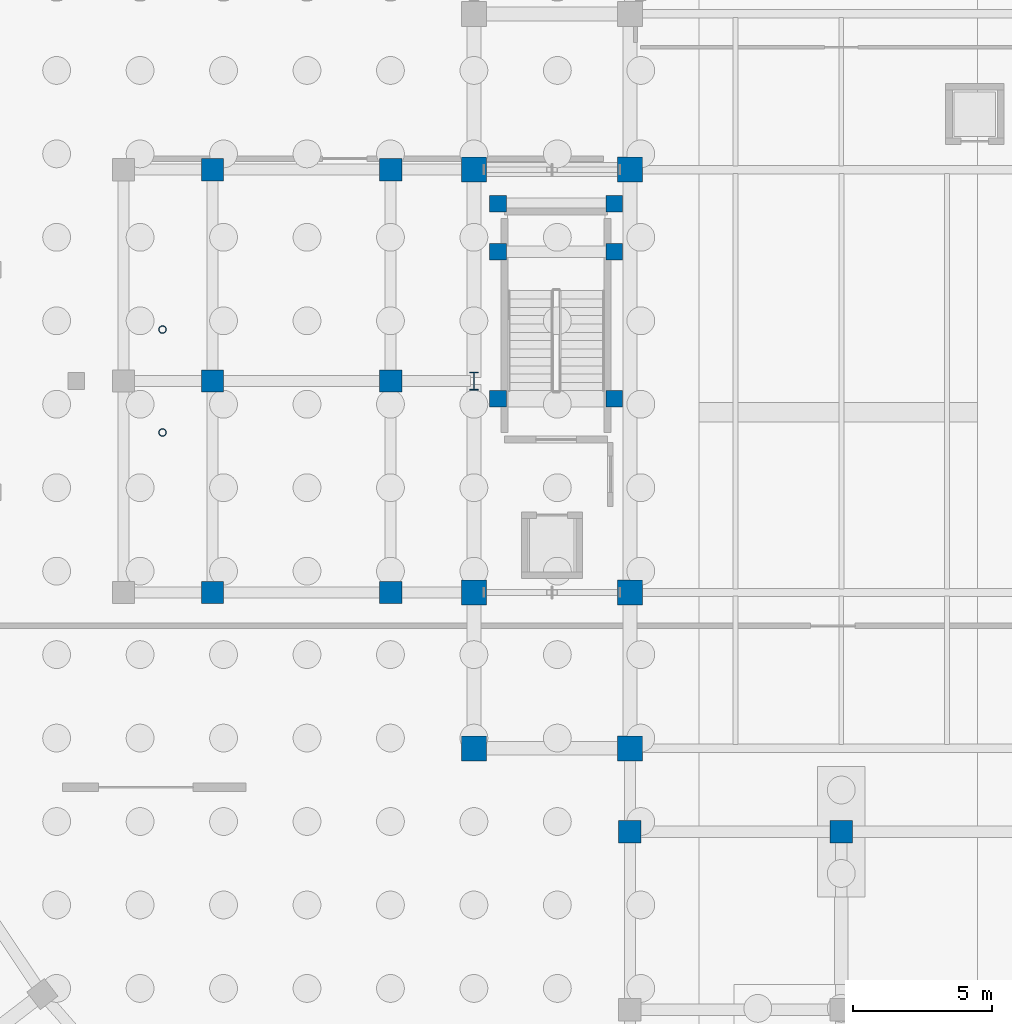
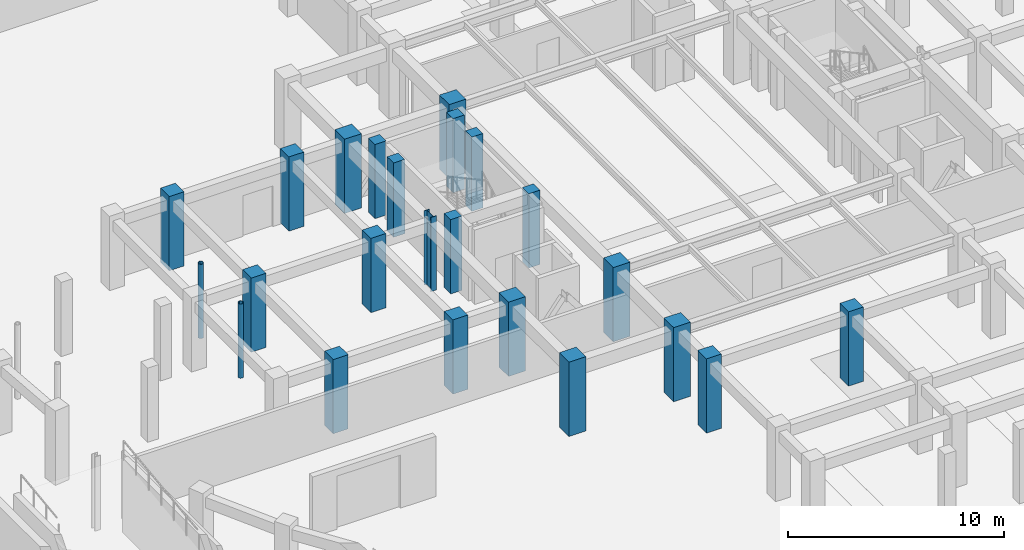
# One storey, part 10 of 33: 23 columns.
"""IFC4 building model written with IfcOpenShell, lengths in metres."""

from ifc_helpers import new_model, si_unit, direction, frame, origin, origin_2d, place, context, subcontext, project, spatial, rectangle, hollow_circle, i_section, extrude, material, material_profile, profile_set, type_object, element, save


model = new_model("IFC4")

# Units and contexts
model_context = context("Model", 3, precision=1e-05, world=origin(), true_north=direction((0.0, 1.0)))
body_context = subcontext(model_context, "Body", "Model", "MODEL_VIEW")
ifc_project = project(units=[si_unit("LENGTHUNIT", "METRE"), si_unit("AREAUNIT", "SQUARE_METRE"), si_unit("VOLUMEUNIT", "CUBIC_METRE"), si_unit("PLANEANGLEUNIT", "RADIAN"), si_unit("MASSUNIT", "GRAM", prefix="KILO")], contexts=[model_context])

# Site, building, storey
site_placement = place(None, origin())
site = spatial("IfcSite", under=ifc_project, at=site_placement, CompositionType="ELEMENT")
building_placement = place(site_placement, origin())
building = spatial("IfcBuilding", under=site, at=building_placement, Name="Saryqyr Civic Hall", CompositionType="ELEMENT")
storey_placement = place(building_placement, frame((0.0, 0.0, -4.199951171875)))
storey = spatial("IfcBuildingStorey", under=building, at=storey_placement, Name="B1", CompositionType="ELEMENT", Elevation=-4.199951171875)

# Columns
ifc_material_1 = material(Name="Steel S355", Category="steel")
ifc_material_profile_1 = material_profile(ifc_material_1, hollow_circle(Radius=0.136474609375, WallThickness=0.01611328125, at=origin_2d()), Name="CHS 273x16")
ifc_profile_set_1 = profile_set([ifc_material_profile_1], Name="Steel S355")
column_type_1 = type_object("IfcColumnType", Name="STR-COL-CHS273-S355", PredefinedType="COLUMN", material=ifc_profile_set_1)
for number, where, z_axis, x_axis, name in (
    (1, (32.60009765625, 82.14990234375, 0.0), (0.0, 0.0, 1.0), (1.0, 0.0, 0.0), "Column BRCOL-BR-CW-2-B1"),
    (2, (32.60009765625, 85.85009765625, 0.0), (0.0, 0.0, 1.0), (1.0, 0.0, 0.0), "Column BRCOL-BR-CW-3-B1"),
):
    element("IfcColumn", number, at=place(storey_placement, frame(where, z_axis=z_axis, x_axis=x_axis)), inside=storey, type_object=column_type_1, Name=name, PredefinedType="COLUMN", context=body_context, shape_type="SweptSolid", body=[
        extrude(hollow_circle(Radius=0.136474609375, WallThickness=0.01611328125, at=origin_2d()), origin(), (0.0, 0.0, 1.0), 4.199951171875),
    ])
ifc_material_profile_2 = material_profile(ifc_material_1, i_section(OverallWidth=0.300048828125, OverallDepth=0.64990234375, WebThickness=0.01611328125, FlangeThickness=0.031005859375, at=origin_2d()), Name="HEB 650")
ifc_profile_set_2 = profile_set([ifc_material_profile_2], Name="Steel S355")
column_type_2 = type_object("IfcColumnType", Name="STR-COL-HEB650-S355", PredefinedType="COLUMN", material=ifc_profile_set_2)
column_placement = place(storey_placement, frame((43.800048828125, 84.0, 0.0), z_axis=(0.0, 0.0, 1.0), x_axis=(1.0, 0.0, 0.0)))
element("IfcColumn", 3, at=column_placement, inside=storey, type_object=column_type_2, Name="Column V1-GCOL-W-B1", PredefinedType="COLUMN", context=body_context, shape_type="SweptSolid", body=[
    extrude(i_section(OverallWidth=0.300048828125, OverallDepth=0.64990234375, WebThickness=0.01611328125, FlangeThickness=0.031005859375, at=origin_2d()), origin(), (0.0, 0.0, 1.0), 4.199951171875),
])
ifc_material_2 = material(Name="Concrete C40/50", Category="concrete")
ifc_material_profile_3 = material_profile(ifc_material_2, rectangle(XDim=0.60009765625, YDim=0.60009765625, at=origin_2d()), Name="RC 600x600")
ifc_profile_set_3 = profile_set([ifc_material_profile_3], Name="Concrete C40/50")
column_type_3 = type_object("IfcColumnType", Name="STR-COL-RC600-C40", PredefinedType="COLUMN", material=ifc_profile_set_3)
for number, where, z_axis, x_axis, name in (
    (4, (48.840087890625, 83.364990234375, 0.0), (0.0, 0.0, 1.0), (1.0, 0.0, 0.0), "Column ST-1-SCOL-TRMA-B1"),
    (5, (44.659912109375, 83.364990234375, 0.0), (0.0, 0.0, 1.0), (1.0, 0.0, 0.0), "Column ST-1-SCOL-TRMB-B1"),
    (6, (48.840087890625, 88.64990234375, 0.0), (0.0, 0.0, 1.0), (1.0, 0.0, 0.0), "Column ST-1-SCOL-LND1A-B1"),
    (7, (44.659912109375, 88.64990234375, 0.0), (0.0, 0.0, 1.0), (1.0, 0.0, 0.0), "Column ST-1-SCOL-LND1B-B1"),
    (8, (48.840087890625, 90.3798828125, 0.0), (0.0, 0.0, 1.0), (1.0, 0.0, 0.0), "Column ST-1-SCOL-LND2A-B1"),
    (9, (44.659912109375, 90.3798828125, 0.0), (0.0, 0.0, 1.0), (1.0, 0.0, 0.0), "Column ST-1-SCOL-LND2B-B1"),
):
    element("IfcColumn", number, at=place(storey_placement, frame(where, z_axis=z_axis, x_axis=x_axis)), inside=storey, type_object=column_type_3, Name=name, PredefinedType="COLUMN", context=body_context, shape_type="SweptSolid", body=[
        extrude(rectangle(XDim=0.60009765625, YDim=0.60009765625, at=origin_2d()), origin(), (0.0, 0.0, 1.0), 4.199951171875),
    ])
ifc_material_profile_4 = material_profile(ifc_material_2, rectangle(XDim=0.800048828125, YDim=0.800048828125, at=origin_2d()), Name="RC 800x800")
ifc_profile_set_4 = profile_set([ifc_material_profile_4], Name="Concrete C40/50")
column_type_4 = type_object("IfcColumnType", Name="STR-COL-RC800-C40", PredefinedType="COLUMN", material=ifc_profile_set_4)
for number, where, z_axis, x_axis, name in (
    (10, (40.800048828125, 76.39990234375, 0.0), (0.0, 0.0, 1.0), (1.0, 0.0, 0.0), "Column V1-COL-S3P01-B1"),
    (11, (40.800048828125, 84.0, 0.0), (0.0, 0.0, 1.0), (1.0, 0.0, 0.0), "Column V1-COL-S3P02-B1"),
    (12, (40.800048828125, 91.60009765625, 0.0), (0.0, 0.0, 1.0), (1.0, 0.0, 0.0), "Column V1-COL-S3P03-B1"),
    (13, (49.39990234375, 67.800048828125, 0.0), (0.0, 0.0, 1.0), (1.0, 0.0, 0.0), "Column V1-COL-S3P07-B1"),
    (14, (57.0, 67.800048828125, 0.0), (0.0, 0.0, 1.0), (1.0, 0.0, 0.0), "Column V1-COL-S3P08-B1"),
    (15, (34.39990234375, 76.39990234375, 0.0), (0.0, 0.0, 1.0), (1.0, 0.0, 0.0), "Column V1-COL-S1P01-B1"),
    (16, (34.39990234375, 84.0, 0.0), (0.0, 0.0, 1.0), (1.0, 0.0, 0.0), "Column V1-COL-S1P02-B1"),
    (17, (34.39990234375, 91.60009765625, 0.0), (0.0, 0.0, 1.0), (1.0, 0.0, 0.0), "Column V1-COL-S1P03-B1"),
):
    element("IfcColumn", number, at=place(storey_placement, frame(where, z_axis=z_axis, x_axis=x_axis)), inside=storey, type_object=column_type_4, Name=name, PredefinedType="COLUMN", context=body_context, shape_type="SweptSolid", body=[
        extrude(rectangle(XDim=0.800048828125, YDim=0.800048828125, at=origin_2d()), origin(), (0.0, 0.0, 1.0), 4.199951171875),
    ])
ifc_material_profile_5 = material_profile(ifc_material_2, rectangle(XDim=0.89990234375, YDim=0.89990234375, at=origin_2d()), Name="RC 900x900")
ifc_profile_set_5 = profile_set([ifc_material_profile_5], Name="Concrete C40/50")
column_type_5 = type_object("IfcColumnType", Name="STR-COL-RC900-C40", PredefinedType="COLUMN", material=ifc_profile_set_5)
for number, where, z_axis, x_axis, name in (
    (18, (43.800048828125, 70.800048828125, 0.0), (0.0, 0.0, 1.0), (1.0, 0.0, 0.0), "Column V1-COL-C11-B1"),
    (19, (43.800048828125, 76.39990234375, 0.0), (0.0, 0.0, 1.0), (1.0, 0.0, 0.0), "Column V1-COL-C12-B1"),
    (20, (43.800048828125, 91.60009765625, 0.0), (0.0, 0.0, 1.0), (1.0, 0.0, 0.0), "Column V1-COL-C13-B1"),
    (21, (49.39990234375, 70.800048828125, 0.0), (0.0, 0.0, 1.0), (1.0, 0.0, 0.0), "Column V1-COL-C21-B1"),
    (22, (49.39990234375, 76.39990234375, 0.0), (0.0, 0.0, 1.0), (1.0, 0.0, 0.0), "Column V1-COL-C22-B1"),
    (23, (49.39990234375, 91.60009765625, 0.0), (0.0, 0.0, 1.0), (1.0, 0.0, 0.0), "Column V1-COL-C23-B1"),
):
    element("IfcColumn", number, at=place(storey_placement, frame(where, z_axis=z_axis, x_axis=x_axis)), inside=storey, type_object=column_type_5, Name=name, PredefinedType="COLUMN", context=body_context, shape_type="SweptSolid", body=[
        extrude(rectangle(XDim=0.89990234375, YDim=0.89990234375, at=origin_2d()), origin(), (0.0, 0.0, 1.0), 4.199951171875),
    ])

save(model, "model.ifc")
